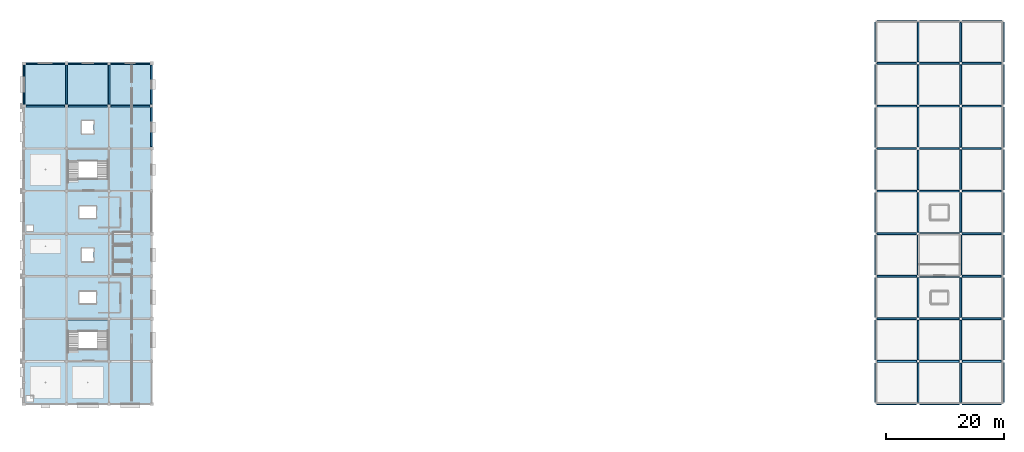
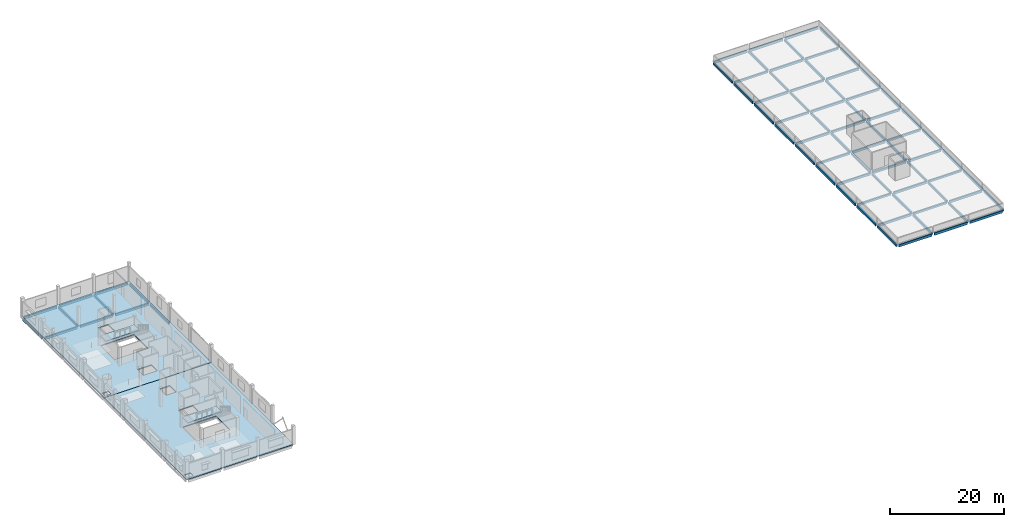
# One storey, part 5 of 15: 77 beams, 4 slabs, 2 elements without a shape of their own.
"""IFC4 building model written with IfcOpenShell, lengths in metres."""

from ifc_helpers import new_model, si_unit, direction, frame, origin, origin_2d, place, context, subcontext, project, spatial, polyline, rectangle, outline, extrude, material, layer, layer_set, material_profile, profile_set, type_object, element, aggregate, save


model = new_model("IFC4")

# Units and contexts
model_context = context("Model", 3, precision=1e-05, world=origin(), true_north=direction((0.0, 1.0)))
body_context = subcontext(model_context, "Body", "Model", "MODEL_VIEW")
ifc_project = project(units=[si_unit("LENGTHUNIT", "METRE"), si_unit("AREAUNIT", "SQUARE_METRE"), si_unit("VOLUMEUNIT", "CUBIC_METRE"), si_unit("PLANEANGLEUNIT", "RADIAN"), si_unit("MASSUNIT", "GRAM", prefix="KILO")], contexts=[model_context])

# Site, building, storey
site_placement = place(None, origin())
site = spatial("IfcSite", under=ifc_project, at=site_placement, CompositionType="ELEMENT")
building_placement = place(site_placement, origin())
building = spatial("IfcBuilding", under=site, at=building_placement, Name="Kangsadwip Square Police Headquarters", CompositionType="ELEMENT")
storey_placement = place(building_placement, frame((0.0, 0.0, 29.699951171875)))
storey = spatial("IfcBuildingStorey", under=building, at=storey_placement, Name="L07", CompositionType="ELEMENT", Elevation=29.699951171875)

# Beams
ifc_material_1 = material(Name="Concrete M35 (35 MPa)", Category="concrete")
ifc_material_profile_1 = material_profile(ifc_material_1, rectangle(XDim=0.300048828125, YDim=0.449951171875, at=origin_2d()), Name="RC BM 450X300")
ifc_profile_set_1 = profile_set([ifc_material_profile_1], Name="Concrete M35 (35 MPa)")
beam_type_1 = type_object("IfcBeamType", Name="RcBeam450x300", PredefinedType="BEAM", material=ifc_profile_set_1)
for number, where, z_axis, x_axis, name in (
    (1, (151.449951171875, 43.199951171875, -0.445068359375), (1.0, 0.0, 0.0), (0.0, 1.0, 0.0), "Beam BM-L07-X-21-06"),
    (2, (144.25, 50.39990234375, -0.445068359375), (1.0, 0.0, 0.0), (0.0, 1.0, 0.0), "Beam BM-L07-X-20-07"),
):
    element("IfcBeam", number, at=place(storey_placement, frame(where, z_axis=z_axis, x_axis=x_axis)), inside=storey, type_object=beam_type_1, Name=name, PredefinedType="BEAM", context=body_context, shape_type="SweptSolid", body=[
        extrude(rectangle(XDim=0.300048828125, YDim=0.449951171875, at=origin_2d()), origin(), (0.0, 0.0, 1.0), 6.675048828125),
    ])
beam_1_placement = place(storey_placement, frame((158.64990234375, 50.39990234375, -0.445068359375), z_axis=(1.0, 0.0, 0.0), x_axis=(0.0, 1.0, 0.0)))
element("IfcBeam", 3, at=beam_1_placement, inside=storey, type_object=beam_type_1, Name="Beam BM-L07-X-22-07", PredefinedType="BEAM", context=body_context, shape_type="SweptSolid", body=[
    extrude(rectangle(XDim=0.300048828125, YDim=0.449951171875, at=origin_2d()), origin(), (0.0, 0.0, 1.0), 6.60009765625),
])
for number, where, z_axis, x_axis, name in (
    (4, (151.449951171875, 57.60009765625, -0.445068359375), (1.0, 0.0, 0.0), (0.0, 1.0, 0.0), "Beam BM-L07-X-21-08"),
    (5, (144.25, 64.800048828125, -0.445068359375), (1.0, 0.0, 0.0), (0.0, 1.0, 0.0), "Beam BM-L07-X-20-09"),
):
    element("IfcBeam", number, at=place(storey_placement, frame(where, z_axis=z_axis, x_axis=x_axis)), inside=storey, type_object=beam_type_1, Name=name, PredefinedType="BEAM", context=body_context, shape_type="SweptSolid", body=[
        extrude(rectangle(XDim=0.300048828125, YDim=0.449951171875, at=origin_2d()), origin(), (0.0, 0.0, 1.0), 6.675048828125),
    ])
beam_2_placement = place(storey_placement, frame((158.64990234375, 64.800048828125, -0.445068359375), z_axis=(1.0, 0.0, 0.0), x_axis=(0.0, 1.0, 0.0)))
element("IfcBeam", 6, at=beam_2_placement, inside=storey, type_object=beam_type_1, Name="Beam BM-L07-X-22-09", PredefinedType="BEAM", context=body_context, shape_type="SweptSolid", body=[
    extrude(rectangle(XDim=0.300048828125, YDim=0.449951171875, at=origin_2d()), origin(), (0.0, 0.0, 1.0), 6.60009765625),
])
for number, where, z_axis, x_axis, name in (
    (7, (151.449951171875, 72.0, -0.445068359375), (1.0, 0.0, 0.0), (0.0, 1.0, 0.0), "Beam BM-L07-X-21-10"),
    (8, (144.25, 79.199951171875, -0.445068359375), (1.0, 0.0, 0.0), (0.0, 1.0, 0.0), "Beam BM-L07-X-20-11"),
):
    element("IfcBeam", number, at=place(storey_placement, frame(where, z_axis=z_axis, x_axis=x_axis)), inside=storey, type_object=beam_type_1, Name=name, PredefinedType="BEAM", context=body_context, shape_type="SweptSolid", body=[
        extrude(rectangle(XDim=0.300048828125, YDim=0.449951171875, at=origin_2d()), origin(), (0.0, 0.0, 1.0), 6.675048828125),
    ])
beam_3_placement = place(storey_placement, frame((158.64990234375, 79.199951171875, -0.445068359375), z_axis=(1.0, 0.0, 0.0), x_axis=(0.0, 1.0, 0.0)))
element("IfcBeam", 9, at=beam_3_placement, inside=storey, type_object=beam_type_1, Name="Beam BM-L07-X-22-11", PredefinedType="BEAM", context=body_context, shape_type="SweptSolid", body=[
    extrude(rectangle(XDim=0.300048828125, YDim=0.449951171875, at=origin_2d()), origin(), (0.0, 0.0, 1.0), 6.60009765625),
])
for number, where, z_axis, x_axis, name in (
    (10, (151.449951171875, 86.39990234375, -0.445068359375), (1.0, 0.0, 0.0), (0.0, 1.0, 0.0), "Beam BM-L07-X-21-12"),
    (11, (144.25, 93.60009765625, -0.445068359375), (1.0, 0.0, 0.0), (0.0, 1.0, 0.0), "Beam BM-L07-X-20-13"),
):
    element("IfcBeam", number, at=place(storey_placement, frame(where, z_axis=z_axis, x_axis=x_axis)), inside=storey, type_object=beam_type_1, Name=name, PredefinedType="BEAM", context=body_context, shape_type="SweptSolid", body=[
        extrude(rectangle(XDim=0.300048828125, YDim=0.449951171875, at=origin_2d()), origin(), (0.0, 0.0, 1.0), 6.675048828125),
    ])
beam_4_placement = place(storey_placement, frame((158.64990234375, 93.60009765625, -0.445068359375), z_axis=(1.0, 0.0, 0.0), x_axis=(0.0, 1.0, 0.0)))
element("IfcBeam", 12, at=beam_4_placement, inside=storey, type_object=beam_type_1, Name="Beam BM-L07-X-22-13", PredefinedType="BEAM", context=body_context, shape_type="SweptSolid", body=[
    extrude(rectangle(XDim=0.300048828125, YDim=0.449951171875, at=origin_2d()), origin(), (0.0, 0.0, 1.0), 6.60009765625),
])
beam_5_placement = place(storey_placement, frame((151.199951171875, 43.449951171875, -0.445068359375), z_axis=(0.0, 1.0, 0.0), x_axis=(-1.0, 0.0, 0.0)))
element("IfcBeam", 13, at=beam_5_placement, inside=storey, type_object=beam_type_1, Name="Beam BM-L07-Y-21-06", PredefinedType="BEAM", context=body_context, shape_type="SweptSolid", body=[
    extrude(rectangle(XDim=0.300048828125, YDim=0.449951171875, at=origin_2d()), origin(), (0.0, 0.0, 1.0), 6.675048828125),
])
beam_6_placement = place(storey_placement, frame((151.199951171875, 57.85009765625, -0.445068359375), z_axis=(0.0, 1.0, 0.0), x_axis=(-1.0, 0.0, 0.0)))
element("IfcBeam", 14, at=beam_6_placement, inside=storey, type_object=beam_type_1, Name="Beam BM-L07-Y-21-08", PredefinedType="BEAM", context=body_context, shape_type="SweptSolid", body=[
    extrude(rectangle(XDim=0.300048828125, YDim=0.449951171875, at=origin_2d()), origin(), (0.0, 0.0, 1.0), 6.6748046875),
])
for number, where, z_axis, x_axis, name in (
    (15, (151.199951171875, 72.25, -0.445068359375), (0.0, 1.0, 0.0), (-1.0, 0.0, 0.0), "Beam BM-L07-Y-21-10"),
    (16, (151.199951171875, 86.64990234375, -0.445068359375), (0.0, 1.0, 0.0), (-1.0, 0.0, 0.0), "Beam BM-L07-Y-21-12"),
    (17, (158.39990234375, 36.25, -0.445068359375), (0.0, 1.0, 0.0), (-1.0, 0.0, 0.0), "Beam BM-L07-Y-22-05"),
    (18, (158.39990234375, 50.64990234375, -0.445068359375), (0.0, 1.0, 0.0), (-1.0, 0.0, 0.0), "Beam BM-L07-Y-22-07"),
    (19, (158.39990234375, 65.050048828125, -0.445068359375), (0.0, 1.0, 0.0), (-1.0, 0.0, 0.0), "Beam BM-L07-Y-22-09"),
    (20, (158.39990234375, 79.449951171875, -0.445068359375), (0.0, 1.0, 0.0), (-1.0, 0.0, 0.0), "Beam BM-L07-Y-22-11"),
):
    element("IfcBeam", number, at=place(storey_placement, frame(where, z_axis=z_axis, x_axis=x_axis)), inside=storey, type_object=beam_type_1, Name=name, PredefinedType="BEAM", context=body_context, shape_type="SweptSolid", body=[
        extrude(rectangle(XDim=0.300048828125, YDim=0.449951171875, at=origin_2d()), origin(), (0.0, 0.0, 1.0), 6.675048828125),
    ])
beam_7_placement = place(storey_placement, frame((158.39990234375, 93.85009765625, -0.445068359375), z_axis=(0.0, 1.0, 0.0), x_axis=(-1.0, 0.0, 0.0)))
element("IfcBeam", 21, at=beam_7_placement, inside=storey, type_object=beam_type_1, Name="Beam BM-L07-Y-22-13", PredefinedType="BEAM", context=body_context, shape_type="SweptSolid", body=[
    extrude(rectangle(XDim=0.300048828125, YDim=0.449951171875, at=origin_2d()), origin(), (0.0, 0.0, 1.0), 6.6748046875),
])
for number, where, z_axis, x_axis, name in (
    (22, (7.5, 86.39990234375, -0.445068359375), (1.0, 0.0, 0.0), (0.0, 1.0, 0.0), "Beam BM-L07-X-01-12"),
    (23, (7.199951171875, 86.699951171875, -0.445068359375), (0.0, 1.0, 0.0), (-1.0, 0.0, 0.0), "Beam BM-L07-Y-01-12"),
):
    element("IfcBeam", number, at=place(storey_placement, frame(where, z_axis=z_axis, x_axis=x_axis)), inside=storey, type_object=beam_type_1, Name=name, PredefinedType="BEAM", context=body_context, shape_type="SweptSolid", body=[
        extrude(rectangle(XDim=0.300048828125, YDim=0.449951171875, at=origin_2d()), origin(), (0.0, 0.0, 1.0), 6.60009765625),
    ])
ifc_material_2 = material(Name="Concrete M35 (35 MPa)", Category="concrete")
ifc_material_profile_2 = material_profile(ifc_material_2, rectangle(XDim=0.300048828125, YDim=0.5, at=origin_2d()), Name="RC BM 500X300")
ifc_profile_set_2 = profile_set([ifc_material_profile_2], Name="Concrete M35 (35 MPa)")
beam_type_2 = type_object("IfcBeamType", Name="RcBeam500x300", PredefinedType="BEAM", material=ifc_profile_set_2)
beam_8_placement = place(storey_placement, frame((144.27490234375, 43.199951171875, -0.469970703125), z_axis=(1.0, 0.0, 0.0), x_axis=(0.0, 1.0, 0.0)))
element("IfcBeam", 24, at=beam_8_placement, inside=storey, type_object=beam_type_2, Name="Beam BM-L07-X-20-06", PredefinedType="BEAM", context=body_context, shape_type="SweptSolid", body=[
    extrude(rectangle(XDim=0.300048828125, YDim=0.5, at=origin_2d()), origin(), (0.0, 0.0, 1.0), 6.675048828125),
])
beam_9_placement = place(storey_placement, frame((158.675048828125, 43.199951171875, -0.469970703125), z_axis=(1.0, 0.0, 0.0), x_axis=(0.0, 1.0, 0.0)))
element("IfcBeam", 25, at=beam_9_placement, inside=storey, type_object=beam_type_2, Name="Beam BM-L07-X-22-06", PredefinedType="BEAM", context=body_context, shape_type="SweptSolid", body=[
    extrude(rectangle(XDim=0.300048828125, YDim=0.5, at=origin_2d()), origin(), (0.0, 0.0, 1.0), 6.574951171875),
])
beam_10_placement = place(storey_placement, frame((151.47509765625, 50.39990234375, -0.469970703125), z_axis=(1.0, 0.0, 0.0), x_axis=(0.0, 1.0, 0.0)))
element("IfcBeam", 26, at=beam_10_placement, inside=storey, type_object=beam_type_2, Name="Beam BM-L07-X-21-07", PredefinedType="BEAM", context=body_context, shape_type="SweptSolid", body=[
    extrude(rectangle(XDim=0.300048828125, YDim=0.5, at=origin_2d()), origin(), (0.0, 0.0, 1.0), 6.6748046875),
])
beam_11_placement = place(storey_placement, frame((144.27490234375, 57.60009765625, -0.469970703125), z_axis=(1.0, 0.0, 0.0), x_axis=(0.0, 1.0, 0.0)))
element("IfcBeam", 27, at=beam_11_placement, inside=storey, type_object=beam_type_2, Name="Beam BM-L07-X-20-08", PredefinedType="BEAM", context=body_context, shape_type="SweptSolid", body=[
    extrude(rectangle(XDim=0.300048828125, YDim=0.5, at=origin_2d()), origin(), (0.0, 0.0, 1.0), 6.675048828125),
])
beam_12_placement = place(storey_placement, frame((158.675048828125, 57.60009765625, -0.469970703125), z_axis=(1.0, 0.0, 0.0), x_axis=(0.0, 1.0, 0.0)))
element("IfcBeam", 28, at=beam_12_placement, inside=storey, type_object=beam_type_2, Name="Beam BM-L07-X-22-08", PredefinedType="BEAM", context=body_context, shape_type="SweptSolid", body=[
    extrude(rectangle(XDim=0.300048828125, YDim=0.5, at=origin_2d()), origin(), (0.0, 0.0, 1.0), 6.574951171875),
])
beam_13_placement = place(storey_placement, frame((151.47509765625, 64.800048828125, -0.469970703125), z_axis=(1.0, 0.0, 0.0), x_axis=(0.0, 1.0, 0.0)))
element("IfcBeam", 29, at=beam_13_placement, inside=storey, type_object=beam_type_2, Name="Beam BM-L07-X-21-09", PredefinedType="BEAM", context=body_context, shape_type="SweptSolid", body=[
    extrude(rectangle(XDim=0.300048828125, YDim=0.5, at=origin_2d()), origin(), (0.0, 0.0, 1.0), 6.6748046875),
])
beam_14_placement = place(storey_placement, frame((144.27490234375, 72.0, -0.469970703125), z_axis=(1.0, 0.0, 0.0), x_axis=(0.0, 1.0, 0.0)))
element("IfcBeam", 30, at=beam_14_placement, inside=storey, type_object=beam_type_2, Name="Beam BM-L07-X-20-10", PredefinedType="BEAM", context=body_context, shape_type="SweptSolid", body=[
    extrude(rectangle(XDim=0.300048828125, YDim=0.5, at=origin_2d()), origin(), (0.0, 0.0, 1.0), 6.675048828125),
])
beam_15_placement = place(storey_placement, frame((158.675048828125, 72.0, -0.469970703125), z_axis=(1.0, 0.0, 0.0), x_axis=(0.0, 1.0, 0.0)))
element("IfcBeam", 31, at=beam_15_placement, inside=storey, type_object=beam_type_2, Name="Beam BM-L07-X-22-10", PredefinedType="BEAM", context=body_context, shape_type="SweptSolid", body=[
    extrude(rectangle(XDim=0.300048828125, YDim=0.5, at=origin_2d()), origin(), (0.0, 0.0, 1.0), 6.574951171875),
])
beam_16_placement = place(storey_placement, frame((151.47509765625, 79.199951171875, -0.469970703125), z_axis=(1.0, 0.0, 0.0), x_axis=(0.0, 1.0, 0.0)))
element("IfcBeam", 32, at=beam_16_placement, inside=storey, type_object=beam_type_2, Name="Beam BM-L07-X-21-11", PredefinedType="BEAM", context=body_context, shape_type="SweptSolid", body=[
    extrude(rectangle(XDim=0.300048828125, YDim=0.5, at=origin_2d()), origin(), (0.0, 0.0, 1.0), 6.6748046875),
])
beam_17_placement = place(storey_placement, frame((144.27490234375, 86.39990234375, -0.469970703125), z_axis=(1.0, 0.0, 0.0), x_axis=(0.0, 1.0, 0.0)))
element("IfcBeam", 33, at=beam_17_placement, inside=storey, type_object=beam_type_2, Name="Beam BM-L07-X-20-12", PredefinedType="BEAM", context=body_context, shape_type="SweptSolid", body=[
    extrude(rectangle(XDim=0.300048828125, YDim=0.5, at=origin_2d()), origin(), (0.0, 0.0, 1.0), 6.675048828125),
])
beam_18_placement = place(storey_placement, frame((158.675048828125, 86.39990234375, -0.469970703125), z_axis=(1.0, 0.0, 0.0), x_axis=(0.0, 1.0, 0.0)))
element("IfcBeam", 34, at=beam_18_placement, inside=storey, type_object=beam_type_2, Name="Beam BM-L07-X-22-12", PredefinedType="BEAM", context=body_context, shape_type="SweptSolid", body=[
    extrude(rectangle(XDim=0.300048828125, YDim=0.5, at=origin_2d()), origin(), (0.0, 0.0, 1.0), 6.574951171875),
])
beam_19_placement = place(storey_placement, frame((151.47509765625, 93.60009765625, -0.469970703125), z_axis=(1.0, 0.0, 0.0), x_axis=(0.0, 1.0, 0.0)))
element("IfcBeam", 35, at=beam_19_placement, inside=storey, type_object=beam_type_2, Name="Beam BM-L07-X-21-13", PredefinedType="BEAM", context=body_context, shape_type="SweptSolid", body=[
    extrude(rectangle(XDim=0.300048828125, YDim=0.5, at=origin_2d()), origin(), (0.0, 0.0, 1.0), 6.6748046875),
])
for number, where, z_axis, x_axis, name in (
    (36, (151.199951171875, 36.27490234375, -0.469970703125), (0.0, 1.0, 0.0), (-1.0, 0.0, 0.0), "Beam BM-L07-Y-21-05"),
    (37, (151.199951171875, 50.675048828125, -0.469970703125), (0.0, 1.0, 0.0), (-1.0, 0.0, 0.0), "Beam BM-L07-Y-21-07"),
    (38, (151.199951171875, 65.074951171875, -0.469970703125), (0.0, 1.0, 0.0), (-1.0, 0.0, 0.0), "Beam BM-L07-Y-21-09"),
):
    element("IfcBeam", number, at=place(storey_placement, frame(where, z_axis=z_axis, x_axis=x_axis)), inside=storey, type_object=beam_type_2, Name=name, PredefinedType="BEAM", context=body_context, shape_type="SweptSolid", body=[
        extrude(rectangle(XDim=0.300048828125, YDim=0.5, at=origin_2d()), origin(), (0.0, 0.0, 1.0), 6.675048828125),
    ])
beam_20_placement = place(storey_placement, frame((151.199951171875, 79.47509765625, -0.469970703125), z_axis=(0.0, 1.0, 0.0), x_axis=(-1.0, 0.0, 0.0)))
element("IfcBeam", 39, at=beam_20_placement, inside=storey, type_object=beam_type_2, Name="Beam BM-L07-Y-21-11", PredefinedType="BEAM", context=body_context, shape_type="SweptSolid", body=[
    extrude(rectangle(XDim=0.300048828125, YDim=0.5, at=origin_2d()), origin(), (0.0, 0.0, 1.0), 6.6748046875),
])
beam_21_placement = place(storey_placement, frame((151.199951171875, 93.875, -0.469970703125), z_axis=(0.0, 1.0, 0.0), x_axis=(-1.0, 0.0, 0.0)))
element("IfcBeam", 40, at=beam_21_placement, inside=storey, type_object=beam_type_2, Name="Beam BM-L07-Y-21-13", PredefinedType="BEAM", context=body_context, shape_type="SweptSolid", body=[
    extrude(rectangle(XDim=0.300048828125, YDim=0.5, at=origin_2d()), origin(), (0.0, 0.0, 1.0), 6.675048828125),
])
beam_22_placement = place(storey_placement, frame((158.39990234375, 43.47509765625, -0.469970703125), z_axis=(0.0, 1.0, 0.0), x_axis=(-1.0, 0.0, 0.0)))
element("IfcBeam", 41, at=beam_22_placement, inside=storey, type_object=beam_type_2, Name="Beam BM-L07-Y-22-06", PredefinedType="BEAM", context=body_context, shape_type="SweptSolid", body=[
    extrude(rectangle(XDim=0.300048828125, YDim=0.5, at=origin_2d()), origin(), (0.0, 0.0, 1.0), 6.6748046875),
])
for number, where, z_axis, x_axis, name in (
    (42, (158.39990234375, 57.875, -0.469970703125), (0.0, 1.0, 0.0), (-1.0, 0.0, 0.0), "Beam BM-L07-Y-22-08"),
    (43, (158.39990234375, 72.27490234375, -0.469970703125), (0.0, 1.0, 0.0), (-1.0, 0.0, 0.0), "Beam BM-L07-Y-22-10"),
    (44, (158.39990234375, 86.675048828125, -0.469970703125), (0.0, 1.0, 0.0), (-1.0, 0.0, 0.0), "Beam BM-L07-Y-22-12"),
):
    element("IfcBeam", number, at=place(storey_placement, frame(where, z_axis=z_axis, x_axis=x_axis)), inside=storey, type_object=beam_type_2, Name=name, PredefinedType="BEAM", context=body_context, shape_type="SweptSolid", body=[
        extrude(rectangle(XDim=0.300048828125, YDim=0.5, at=origin_2d()), origin(), (0.0, 0.0, 1.0), 6.675048828125),
    ])
beam_23_placement = place(storey_placement, frame((0.35009765625, 86.39990234375, -0.469970703125), z_axis=(1.0, 0.0, 0.0), x_axis=(0.0, 1.0, 0.0)))
element("IfcBeam", 45, at=beam_23_placement, inside=storey, type_object=beam_type_2, Name="Beam BM-L07-X-00-12", PredefinedType="BEAM", context=body_context, shape_type="SweptSolid", body=[
    extrude(rectangle(XDim=0.300048828125, YDim=0.5, at=origin_2d()), origin(), (0.0, 0.0, 1.0), 6.5498046875),
])
for number, where, z_axis, x_axis, name in (
    (46, (14.699951171875, 86.39990234375, -0.469970703125), (1.0, 0.0, 0.0), (0.0, 1.0, 0.0), "Beam BM-L07-X-02-12"),
    (47, (14.39990234375, 86.699951171875, -0.469970703125), (0.0, 1.0, 0.0), (-1.0, 0.0, 0.0), "Beam BM-L07-Y-02-12"),
):
    element("IfcBeam", number, at=place(storey_placement, frame(where, z_axis=z_axis, x_axis=x_axis)), inside=storey, type_object=beam_type_2, Name=name, PredefinedType="BEAM", context=body_context, shape_type="SweptSolid", body=[
        extrude(rectangle(XDim=0.300048828125, YDim=0.5, at=origin_2d()), origin(), (0.0, 0.0, 1.0), 6.60009765625),
    ])
ifc_material_3 = material(Name="Concrete M35 (35 MPa)", Category="concrete")
ifc_material_profile_3 = material_profile(ifc_material_3, rectangle(XDim=0.25, YDim=0.52001953125, at=origin_2d()), Name="RC SPN 520X250")
ifc_profile_set_3 = profile_set([ifc_material_profile_3], Name="Concrete M35 (35 MPa)")
beam_type_3 = type_object("IfcBeamType", Name="RcSpandrel520x250", PredefinedType="SPANDREL", material=ifc_profile_set_3)
beam_24_placement = place(storey_placement, frame((144.25, 36.0, -0.47998046875), z_axis=(1.0, 0.0, 0.0), x_axis=(0.0, 1.0, 0.0)))
element("IfcBeam", 48, at=beam_24_placement, inside=storey, type_object=beam_type_3, Name="Beam BM-L07-X-20-05", PredefinedType="SPANDREL", context=body_context, shape_type="SweptSolid", body=[
    extrude(rectangle(XDim=0.25, YDim=0.52001953125, at=origin_2d()), origin(), (0.0, 0.0, 1.0), 6.675048828125),
])
beam_25_placement = place(storey_placement, frame((151.47509765625, 36.0, -0.47998046875), z_axis=(1.0, 0.0, 0.0), x_axis=(0.0, 1.0, 0.0)))
element("IfcBeam", 49, at=beam_25_placement, inside=storey, type_object=beam_type_3, Name="Beam BM-L07-X-21-05", PredefinedType="SPANDREL", context=body_context, shape_type="SweptSolid", body=[
    extrude(rectangle(XDim=0.25, YDim=0.52001953125, at=origin_2d()), origin(), (0.0, 0.0, 1.0), 6.6748046875),
])
beam_26_placement = place(storey_placement, frame((158.64990234375, 36.0, -0.47998046875), z_axis=(1.0, 0.0, 0.0), x_axis=(0.0, 1.0, 0.0)))
element("IfcBeam", 50, at=beam_26_placement, inside=storey, type_object=beam_type_3, Name="Beam BM-L07-X-22-05", PredefinedType="SPANDREL", context=body_context, shape_type="SweptSolid", body=[
    extrude(rectangle(XDim=0.25, YDim=0.52001953125, at=origin_2d()), origin(), (0.0, 0.0, 1.0), 6.60009765625),
])
for number, where, z_axis, x_axis, name in (
    (51, (144.27490234375, 100.800048828125, -0.47998046875), (1.0, 0.0, 0.0), (0.0, 1.0, 0.0), "Beam BM-L07-X-20-14"),
    (52, (151.449951171875, 100.800048828125, -0.47998046875), (1.0, 0.0, 0.0), (0.0, 1.0, 0.0), "Beam BM-L07-X-21-14"),
    (53, (158.675048828125, 100.800048828125, -0.47998046875), (1.0, 0.0, 0.0), (0.0, 1.0, 0.0), "Beam BM-L07-X-22-14"),
    (54, (144.0, 36.25, -0.47998046875), (0.0, 1.0, 0.0), (-1.0, 0.0, 0.0), "Beam BM-L07-Y-20-05"),
):
    element("IfcBeam", number, at=place(storey_placement, frame(where, z_axis=z_axis, x_axis=x_axis)), inside=storey, type_object=beam_type_3, Name=name, PredefinedType="SPANDREL", context=body_context, shape_type="SweptSolid", body=[
        extrude(rectangle(XDim=0.25, YDim=0.52001953125, at=origin_2d()), origin(), (0.0, 0.0, 1.0), 6.675048828125),
    ])
beam_27_placement = place(storey_placement, frame((144.0, 43.47509765625, -0.47998046875), z_axis=(0.0, 1.0, 0.0), x_axis=(-1.0, 0.0, 0.0)))
element("IfcBeam", 55, at=beam_27_placement, inside=storey, type_object=beam_type_3, Name="Beam BM-L07-Y-20-06", PredefinedType="SPANDREL", context=body_context, shape_type="SweptSolid", body=[
    extrude(rectangle(XDim=0.25, YDim=0.52001953125, at=origin_2d()), origin(), (0.0, 0.0, 1.0), 6.6748046875),
])
for number, where, z_axis, x_axis, name in (
    (56, (144.0, 50.64990234375, -0.47998046875), (0.0, 1.0, 0.0), (-1.0, 0.0, 0.0), "Beam BM-L07-Y-20-07"),
    (57, (144.0, 57.875, -0.47998046875), (0.0, 1.0, 0.0), (-1.0, 0.0, 0.0), "Beam BM-L07-Y-20-08"),
    (58, (144.0, 65.050048828125, -0.47998046875), (0.0, 1.0, 0.0), (-1.0, 0.0, 0.0), "Beam BM-L07-Y-20-09"),
    (59, (144.0, 72.27490234375, -0.47998046875), (0.0, 1.0, 0.0), (-1.0, 0.0, 0.0), "Beam BM-L07-Y-20-10"),
    (60, (144.0, 79.449951171875, -0.47998046875), (0.0, 1.0, 0.0), (-1.0, 0.0, 0.0), "Beam BM-L07-Y-20-11"),
    (61, (144.0, 86.675048828125, -0.47998046875), (0.0, 1.0, 0.0), (-1.0, 0.0, 0.0), "Beam BM-L07-Y-20-12"),
):
    element("IfcBeam", number, at=place(storey_placement, frame(where, z_axis=z_axis, x_axis=x_axis)), inside=storey, type_object=beam_type_3, Name=name, PredefinedType="SPANDREL", context=body_context, shape_type="SweptSolid", body=[
        extrude(rectangle(XDim=0.25, YDim=0.52001953125, at=origin_2d()), origin(), (0.0, 0.0, 1.0), 6.675048828125),
    ])
beam_28_placement = place(storey_placement, frame((144.0, 93.85009765625, -0.47998046875), z_axis=(0.0, 1.0, 0.0), x_axis=(-1.0, 0.0, 0.0)))
element("IfcBeam", 62, at=beam_28_placement, inside=storey, type_object=beam_type_3, Name="Beam BM-L07-Y-20-13", PredefinedType="SPANDREL", context=body_context, shape_type="SweptSolid", body=[
    extrude(rectangle(XDim=0.25, YDim=0.52001953125, at=origin_2d()), origin(), (0.0, 0.0, 1.0), 6.6748046875),
])
for number, where, z_axis, x_axis, name in (
    (63, (165.60009765625, 36.25, -0.47998046875), (0.0, 1.0, 0.0), (-1.0, 0.0, 0.0), "Beam BM-L07-Y-23-05"),
    (64, (165.60009765625, 43.449951171875, -0.47998046875), (0.0, 1.0, 0.0), (-1.0, 0.0, 0.0), "Beam BM-L07-Y-23-06"),
):
    element("IfcBeam", number, at=place(storey_placement, frame(where, z_axis=z_axis, x_axis=x_axis)), inside=storey, type_object=beam_type_3, Name=name, PredefinedType="SPANDREL", context=body_context, shape_type="SweptSolid", body=[
        extrude(rectangle(XDim=0.25, YDim=0.52001953125, at=origin_2d()), origin(), (0.0, 0.0, 1.0), 6.699951171875),
    ])
beam_29_placement = place(storey_placement, frame((165.60009765625, 50.64990234375, -0.47998046875), z_axis=(0.0, 1.0, 0.0), x_axis=(-1.0, 0.0, 0.0)))
element("IfcBeam", 65, at=beam_29_placement, inside=storey, type_object=beam_type_3, Name="Beam BM-L07-Y-23-07", PredefinedType="SPANDREL", context=body_context, shape_type="SweptSolid", body=[
    extrude(rectangle(XDim=0.25, YDim=0.52001953125, at=origin_2d()), origin(), (0.0, 0.0, 1.0), 6.7001953125),
])
for number, where, z_axis, x_axis, name in (
    (66, (165.60009765625, 57.85009765625, -0.47998046875), (0.0, 1.0, 0.0), (-1.0, 0.0, 0.0), "Beam BM-L07-Y-23-08"),
    (67, (165.60009765625, 65.050048828125, -0.47998046875), (0.0, 1.0, 0.0), (-1.0, 0.0, 0.0), "Beam BM-L07-Y-23-09"),
    (68, (165.60009765625, 72.25, -0.47998046875), (0.0, 1.0, 0.0), (-1.0, 0.0, 0.0), "Beam BM-L07-Y-23-10"),
    (69, (165.60009765625, 79.449951171875, -0.47998046875), (0.0, 1.0, 0.0), (-1.0, 0.0, 0.0), "Beam BM-L07-Y-23-11"),
):
    element("IfcBeam", number, at=place(storey_placement, frame(where, z_axis=z_axis, x_axis=x_axis)), inside=storey, type_object=beam_type_3, Name=name, PredefinedType="SPANDREL", context=body_context, shape_type="SweptSolid", body=[
        extrude(rectangle(XDim=0.25, YDim=0.52001953125, at=origin_2d()), origin(), (0.0, 0.0, 1.0), 6.699951171875),
    ])
beam_30_placement = place(storey_placement, frame((165.60009765625, 86.64990234375, -0.47998046875), z_axis=(0.0, 1.0, 0.0), x_axis=(-1.0, 0.0, 0.0)))
element("IfcBeam", 70, at=beam_30_placement, inside=storey, type_object=beam_type_3, Name="Beam BM-L07-Y-23-12", PredefinedType="SPANDREL", context=body_context, shape_type="SweptSolid", body=[
    extrude(rectangle(XDim=0.25, YDim=0.52001953125, at=origin_2d()), origin(), (0.0, 0.0, 1.0), 6.7001953125),
])
beam_31_placement = place(storey_placement, frame((165.60009765625, 93.85009765625, -0.47998046875), z_axis=(0.0, 1.0, 0.0), x_axis=(-1.0, 0.0, 0.0)))
element("IfcBeam", 71, at=beam_31_placement, inside=storey, type_object=beam_type_3, Name="Beam BM-L07-Y-23-13", PredefinedType="SPANDREL", context=body_context, shape_type="SweptSolid", body=[
    extrude(rectangle(XDim=0.25, YDim=0.52001953125, at=origin_2d()), origin(), (0.0, 0.0, 1.0), 6.699951171875),
])
beam_32_placement = place(storey_placement, frame((0.35009765625, 93.60009765625, -0.47998046875), z_axis=(1.0, 0.0, 0.0), x_axis=(0.0, 1.0, 0.0)))
element("IfcBeam", 72, at=beam_32_placement, inside=storey, type_object=beam_type_3, Name="Beam BM-L07-X-00-13", PredefinedType="SPANDREL", context=body_context, shape_type="SweptSolid", body=[
    extrude(rectangle(XDim=0.25, YDim=0.52001953125, at=origin_2d()), origin(), (0.0, 0.0, 1.0), 6.5498046875),
])
for number, where, z_axis, x_axis, name in (
    (73, (7.5, 93.60009765625, -0.47998046875), (1.0, 0.0, 0.0), (0.0, 1.0, 0.0), "Beam BM-L07-X-01-13"),
    (74, (14.699951171875, 93.60009765625, -0.47998046875), (1.0, 0.0, 0.0), (0.0, 1.0, 0.0), "Beam BM-L07-X-02-13"),
):
    element("IfcBeam", number, at=place(storey_placement, frame(where, z_axis=z_axis, x_axis=x_axis)), inside=storey, type_object=beam_type_3, Name=name, PredefinedType="SPANDREL", context=body_context, shape_type="SweptSolid", body=[
        extrude(rectangle(XDim=0.25, YDim=0.52001953125, at=origin_2d()), origin(), (0.0, 0.0, 1.0), 6.60009765625),
    ])
beam_33_placement = place(storey_placement, frame((0.0, 86.64990234375, -0.47998046875), z_axis=(0.0, 1.0, 0.0), x_axis=(-1.0, 0.0, 0.0)))
element("IfcBeam", 75, at=beam_33_placement, inside=storey, type_object=beam_type_3, Name="Beam BM-L07-Y-00-12", PredefinedType="SPANDREL", context=body_context, shape_type="SweptSolid", body=[
    extrude(rectangle(XDim=0.25, YDim=0.52001953125, at=origin_2d()), origin(), (0.0, 0.0, 1.0), 6.7001953125),
])
for number, where, z_axis, x_axis, name in (
    (76, (21.60009765625, 79.5, -0.47998046875), (0.0, 1.0, 0.0), (-1.0, 0.0, 0.0), "Beam BM-L07-Y-03-11"),
    (77, (21.60009765625, 86.699951171875, -0.47998046875), (0.0, 1.0, 0.0), (-1.0, 0.0, 0.0), "Beam BM-L07-Y-03-12"),
):
    element("IfcBeam", number, at=place(storey_placement, frame(where, z_axis=z_axis, x_axis=x_axis)), inside=storey, type_object=beam_type_3, Name=name, PredefinedType="SPANDREL", context=body_context, shape_type="SweptSolid", body=[
        extrude(rectangle(XDim=0.25, YDim=0.52001953125, at=origin_2d()), origin(), (0.0, 0.0, 1.0), 6.60009765625),
    ])

# Slabs
ifc_material_4 = material(Name="Concrete M35 (35 MPa)", Category="concrete")
ifc_layer_1 = layer(ifc_material_4, 0.219970703125)
ifc_layer_set_1 = layer_set([ifc_layer_1], Name="Concrete M35 (35 MPa)")
slab_type_1 = type_object("IfcSlabType", Name="LinkBridgeFloorSlab220", PredefinedType="FLOOR", material=ifc_layer_set_1)
slab_1_placement = place(storey_placement, frame((0.0, 0.0, -0.219970703125)))
element("IfcSlab", 78, at=slab_1_placement, inside=storey, type_object=slab_type_1, Name="L07 Vol5S Slab SL-L07-064", PredefinedType="FLOOR", context=body_context, shape_type="SweptSolid", body=[
    extrude(outline(polyline([(0.0, 36.0), (0.0, 64.800048828125), (21.60009765625, 64.800048828125), (21.60009765625, 36.0), (0.0, 36.0)]), holes=[polyline([(0.39990234375, 37.39990234375), (0.39990234375, 36.39990234375), (1.60009765625, 36.39990234375), (1.60009765625, 37.39990234375), (0.39990234375, 37.39990234375)]), polyline([(14.179931640625, 45.280029296875), (14.179931640625, 50.179931640625), (7.419921875, 50.179931640625), (7.419921875, 45.280029296875), (14.179931640625, 45.280029296875)]), polyline([(12.199951171875, 55.0), (9.39990234375, 55.0), (9.39990234375, 53.0), (12.199951171875, 53.0), (12.199951171875, 55.0)]), polyline([(9.800048828125, 62.300048828125), (9.800048828125, 60.10009765625), (11.800048828125, 60.10009765625), (11.800048828125, 62.300048828125), (9.800048828125, 62.300048828125)])]), origin(), (0.0, 0.0, 1.0), 0.219970703125),
])
slab_2_placement = place(storey_placement, frame((0.0, 0.0, -0.219970703125)))
element("IfcSlab", 79, at=slab_2_placement, inside=storey, type_object=slab_type_1, Name="L07 Vol5N Slab SL-L07-065", PredefinedType="FLOOR", context=body_context, shape_type="SweptSolid", body=[
    extrude(outline(polyline([(0.0, 64.800048828125), (0.0, 93.60009765625), (21.60009765625, 93.60009765625), (21.60009765625, 64.800048828125), (0.0, 64.800048828125)]), holes=[polyline([(1.60009765625, 66.199951171875), (0.39990234375, 66.199951171875), (0.39990234375, 65.199951171875), (1.60009765625, 65.199951171875), (1.60009765625, 66.199951171875)]), polyline([(12.199951171875, 69.39990234375), (9.39990234375, 69.39990234375), (9.39990234375, 67.39990234375), (12.199951171875, 67.39990234375), (12.199951171875, 69.39990234375)]), polyline([(14.179931640625, 78.97998046875), (7.419921875, 78.97998046875), (7.419921875, 74.080078125), (14.179931640625, 74.080078125), (14.179931640625, 78.97998046875)]), polyline([(11.800048828125, 83.89990234375), (9.800048828125, 83.89990234375), (9.800048828125, 81.699951171875), (11.800048828125, 81.699951171875), (11.800048828125, 83.89990234375)])]), origin(), (0.0, 0.0, 1.0), 0.219970703125),
])

# Stair, slab
ifc_material_5 = material(Name="Concrete M35 (35 MPa)", Category="concrete")
stair_type = type_object("IfcStairType", Name="Stair2FlightTypW1850", PredefinedType="HALF_TURN_STAIR", material=ifc_material_5)
stair_1_placement = place(storey_placement, origin())
stair_1 = element("IfcStair", 80, at=stair_1_placement, inside=storey, type_object=stair_type, Name="Protected Stair ST-01 L07", PredefinedType="HALF_TURN_STAIR")
ifc_material_6 = material(Name="Concrete M35 (35 MPa)", Category="concrete")
ifc_layer_2 = layer(ifc_material_6, 0.199951171875)
ifc_layer_set_2 = layer_set([ifc_layer_2], Name="Concrete M35 (35 MPa)")
slab_type_2 = type_object("IfcSlabType", Name="StairLandingSlab200", PredefinedType="LANDING", material=ifc_layer_set_2)
slab_3_placement = place(storey_placement, frame((0.0, 0.0, 1.906005859375)))
slab_3 = element("IfcSlab", 81, at=slab_3_placement, type_object=slab_type_2, Name="ST-01 landing 1", PredefinedType="LANDING", context=body_context, shape_type="SweptSolid", body=[
    extrude(outline(polyline([(7.3701171875, 48.280029296875), (14.22998046875, 48.280029296875), (14.22998046875, 50.22998046875), (7.3701171875, 50.22998046875), (7.3701171875, 48.280029296875)])), origin(), (0.0, 0.0, 1.0), 0.199951171875),
])
aggregate(stair_1, [slab_3])

stair_2_placement = place(storey_placement, origin())
stair_2 = element("IfcStair", 82, at=stair_2_placement, inside=storey, type_object=stair_type, Name="Protected Stair ST-02 L07", PredefinedType="HALF_TURN_STAIR")
slab_4_placement = place(storey_placement, frame((0.0, 0.0, 1.906005859375)))
slab_4 = element("IfcSlab", 83, at=slab_4_placement, type_object=slab_type_2, Name="ST-02 landing 1", PredefinedType="LANDING", context=body_context, shape_type="SweptSolid", body=[
    extrude(outline(polyline([(7.3701171875, 77.080078125), (14.22998046875, 77.080078125), (14.22998046875, 79.030029296875), (7.3701171875, 79.030029296875), (7.3701171875, 77.080078125)])), origin(), (0.0, 0.0, 1.0), 0.199951171875),
])
aggregate(stair_2, [slab_4])

save(model, "model.ifc")
